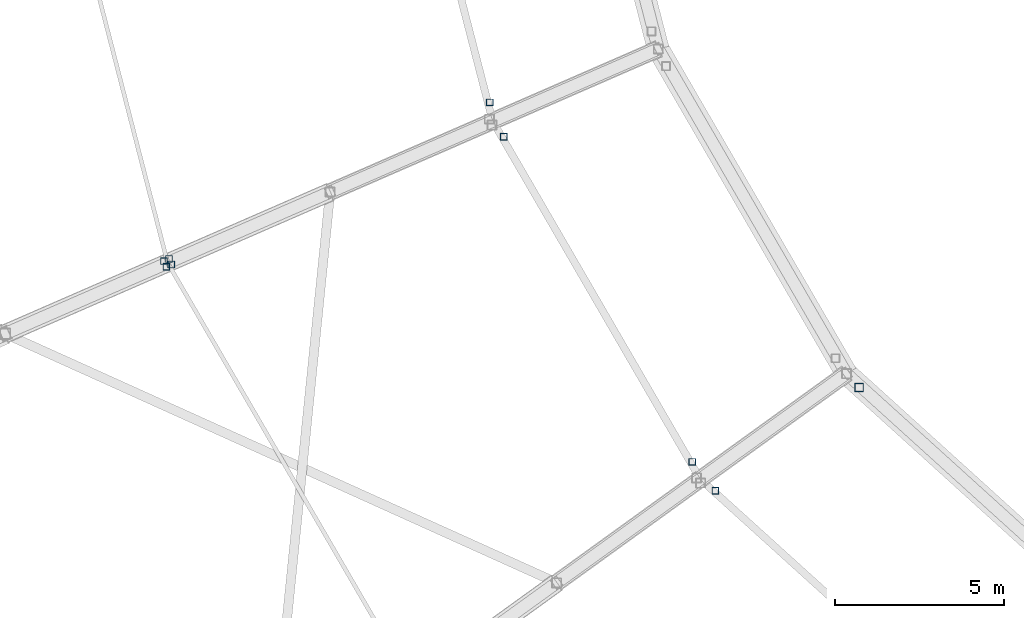
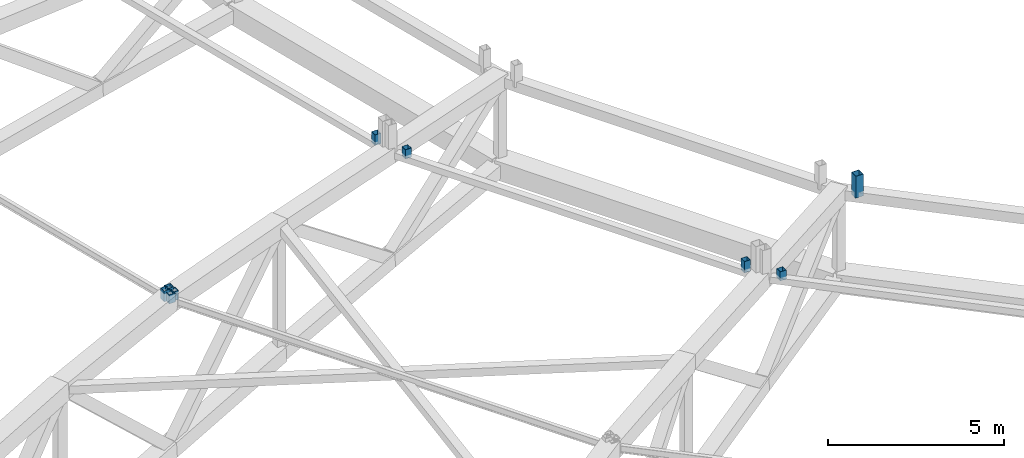
# One storey, part 95 of 162: 9 members.
"""IFC4 building model written with IfcOpenShell, lengths in metres."""

from ifc_helpers import new_model, si_unit, direction, frame, origin, origin_2d, place, context, subcontext, project, spatial, hollow_rectangle, extrude, material, material_profile, profile_set, type_object, element, save


model = new_model("IFC4")

# Units and contexts
model_context = context("Model", 3, precision=1e-05, world=origin(), true_north=direction((0.0, 1.0)))
body_context = subcontext(model_context, "Body", "Model", "MODEL_VIEW")
ifc_project = project(units=[si_unit("LENGTHUNIT", "METRE"), si_unit("AREAUNIT", "SQUARE_METRE"), si_unit("VOLUMEUNIT", "CUBIC_METRE"), si_unit("PLANEANGLEUNIT", "RADIAN"), si_unit("MASSUNIT", "GRAM", prefix="KILO")], contexts=[model_context])

# Site, building, storey
site_placement = place(None, origin())
site = spatial("IfcSite", under=ifc_project, at=site_placement, CompositionType="ELEMENT")
building_placement = place(site_placement, origin())
building = spatial("IfcBuilding", under=site, at=building_placement, Name="Kazemori Nagisa Stadium", CompositionType="ELEMENT")
storey_placement = place(building_placement, frame((0.0, 0.0, 36.719970703125)))
storey = spatial("IfcBuildingStorey", under=building, at=storey_placement, Name="RF", CompositionType="ELEMENT", Elevation=36.719970703125)

# Members
ifc_material = material(Name="Steel STKR490", Category="steel")
ifc_material_profile_1 = material_profile(ifc_material, hollow_rectangle(XDim=0.25, YDim=0.25, WallThickness=0.011962890625, at=origin_2d()), Name="SHS-250x250x12")
ifc_profile_set_1 = profile_set([ifc_material_profile_1], Name="Steel STKR490")
member_type_1 = type_object("IfcMemberType", Name="Member_ST-SHS250", PredefinedType="STUD", material=ifc_profile_set_1)
member_1_placement = place(storey_placement, frame((81.380615234375, 71.268310546875, 5.448974609375), z_axis=(0.0, 0.0, 1.0), x_axis=(1.0, 0.0, 0.0)))
element("IfcMember", 1, at=member_1_placement, inside=storey, type_object=member_type_1, Name="Oculus skylight bearing stool B18-1", PredefinedType="STUD", context=body_context, shape_type="SweptSolid", body=[
    extrude(hollow_rectangle(XDim=0.25, YDim=0.25, WallThickness=0.011962890625, at=origin_2d()), origin(), (0.0, 0.0, 1.0), 0.754150390625),
])
ifc_material_profile_2 = material_profile(ifc_material, hollow_rectangle(XDim=0.199951171875, YDim=0.199951171875, WallThickness=0.009033203125, at=origin_2d()), Name="SHS-200x200x9")
ifc_profile_set_2 = profile_set([ifc_material_profile_2], Name="Steel STKR490")
member_type_2 = type_object("IfcMemberType", Name="Member_TS-SHS200", PredefinedType="STRUT", material=ifc_profile_set_2)
for number, where, z_axis, x_axis, name in (
    (2, (60.85009765625, 75.0048828125, 6.758056640625), (0.0, 0.0, 1.0), (1.0, 0.0, 0.0), "Canopy bearing stool B16-mid-3"),
    (3, (61.001220703125, 75.06494140625, 6.758056640625), (0.0, 0.0, 1.0), (1.0, 0.0, 0.0), "Canopy bearing stool B16-inner-2"),
):
    element("IfcMember", number, at=place(storey_placement, frame(where, z_axis=z_axis, x_axis=x_axis)), inside=storey, type_object=member_type_2, Name=name, PredefinedType="STRUT", context=body_context, shape_type="SweptSolid", body=[
        extrude(hollow_rectangle(XDim=0.199951171875, YDim=0.199951171875, WallThickness=0.009033203125, at=origin_2d()), origin(), (0.0, 0.0, 1.0), 0.368896484375),
    ])
member_2_placement = place(storey_placement, frame((70.4677734375, 79.69140625, 5.966064453125), z_axis=(0.0, 0.0, 1.0), x_axis=(1.0, 0.0, 0.0)))
element("IfcMember", 4, at=member_2_placement, inside=storey, type_object=member_type_2, Name="Oculus skylight bearing stool B16-3", PredefinedType="STRUT", context=body_context, shape_type="SweptSolid", body=[
    extrude(hollow_rectangle(XDim=0.199951171875, YDim=0.199951171875, WallThickness=0.009033203125, at=origin_2d()), origin(), (0.0, 0.0, 1.0), 0.363037109375),
])
for number, where, z_axis, x_axis, name in (
    (5, (60.922607421875, 74.838134765625, 6.758056640625), (0.0, 0.0, 1.0), (1.0, 0.0, 0.0), "Canopy bearing stool B17-mid-4"),
    (6, (61.067626953125, 74.903564453125, 6.758056640625), (0.0, 0.0, 1.0), (1.0, 0.0, 0.0), "Canopy bearing stool B17-inner-1"),
):
    element("IfcMember", number, at=place(storey_placement, frame(where, z_axis=z_axis, x_axis=x_axis)), inside=storey, type_object=member_type_2, Name=name, PredefinedType="STRUT", context=body_context, shape_type="SweptSolid", body=[
        extrude(hollow_rectangle(XDim=0.199951171875, YDim=0.199951171875, WallThickness=0.009033203125, at=origin_2d()), origin(), (0.0, 0.0, 1.0), 0.31494140625),
    ])
member_3_placement = place(storey_placement, frame((76.45166015625, 69.074951171875, 5.887939453125), z_axis=(0.0, 0.0, 1.0), x_axis=(1.0, 0.0, 0.0)))
element("IfcMember", 7, at=member_3_placement, inside=storey, type_object=member_type_2, Name="Oculus skylight bearing stool B17-3", PredefinedType="STRUT", context=body_context, shape_type="SweptSolid", body=[
    extrude(hollow_rectangle(XDim=0.199951171875, YDim=0.199951171875, WallThickness=0.009033203125, at=origin_2d()), origin(), (0.0, 0.0, 1.0), 0.39306640625),
])
member_4_placement = place(storey_placement, frame((70.882080078125, 78.679931640625, 5.966064453125), z_axis=(0.0, 0.0, 1.0), x_axis=(1.0, 0.0, 0.0)))
element("IfcMember", 8, at=member_4_placement, inside=storey, type_object=member_type_2, Name="Oculus skylight bearing stool B17-4", PredefinedType="STRUT", context=body_context, shape_type="SweptSolid", body=[
    extrude(hollow_rectangle(XDim=0.199951171875, YDim=0.199951171875, WallThickness=0.009033203125, at=origin_2d()), origin(), (0.0, 0.0, 1.0), 0.31494140625),
])
member_5_placement = place(storey_placement, frame((77.134765625, 68.224609375, 5.887939453125), z_axis=(0.0, 0.0, 1.0), x_axis=(1.0, 0.0, 0.0)))
element("IfcMember", 9, at=member_5_placement, inside=storey, type_object=member_type_2, Name="Oculus skylight bearing stool B18-4", PredefinedType="STRUT", context=body_context, shape_type="SweptSolid", body=[
    extrude(hollow_rectangle(XDim=0.199951171875, YDim=0.199951171875, WallThickness=0.009033203125, at=origin_2d()), origin(), (0.0, 0.0, 1.0), 0.315185546875),
])

save(model, "model.ifc")
